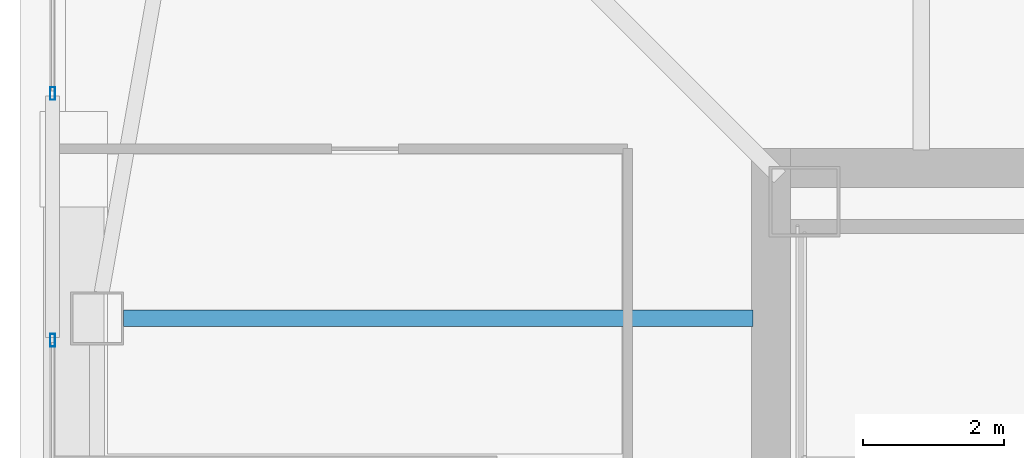
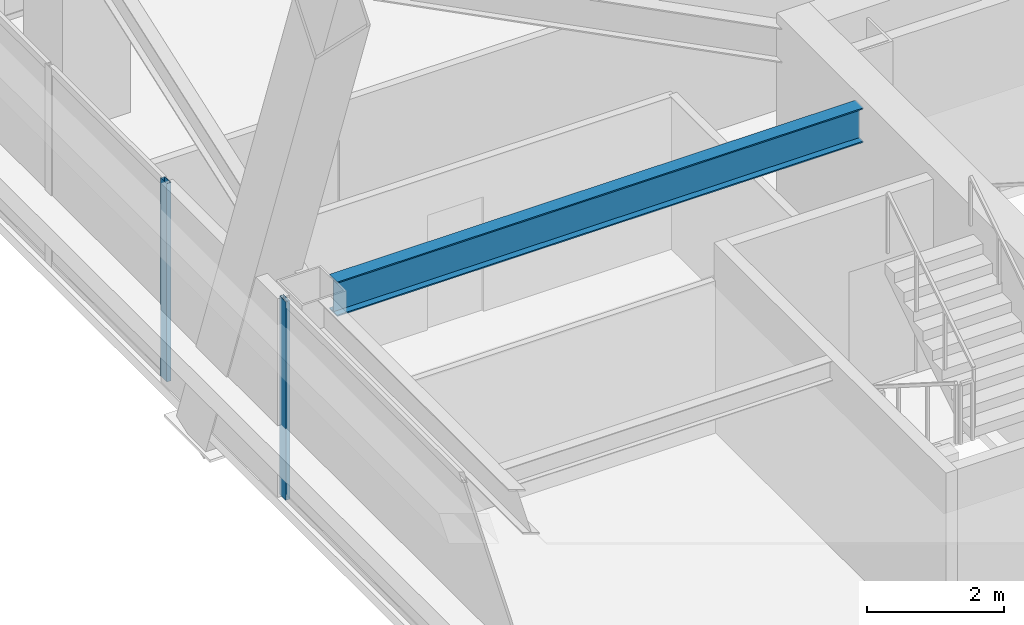
# One storey, part 11 of 55: 2 members, 1 beam, 2 elements without a shape of their own.
"""IFC4 building model written with IfcOpenShell, lengths in metres."""

from ifc_helpers import new_model, si_unit, direction, frame, origin, origin_2d, place, context, subcontext, project, spatial, hollow_rectangle, i_section, extrude, material, material_profile, profile_set, type_object, element, aggregate, save


model = new_model("IFC4")

# Units and contexts
model_context = context("Model", 3, precision=1e-05, world=origin(), true_north=direction((0.0, 1.0)))
body_context = subcontext(model_context, "Body", "Model", "MODEL_VIEW")
ifc_project = project(units=[si_unit("LENGTHUNIT", "METRE"), si_unit("AREAUNIT", "SQUARE_METRE"), si_unit("VOLUMEUNIT", "CUBIC_METRE"), si_unit("PLANEANGLEUNIT", "RADIAN"), si_unit("MASSUNIT", "GRAM", prefix="KILO")], contexts=[model_context])

# Site, building, storey
site_placement = place(None, origin())
site = spatial("IfcSite", under=ifc_project, at=site_placement, CompositionType="ELEMENT")
building_placement = place(site_placement, origin())
building = spatial("IfcBuilding", under=site, at=building_placement, Name="Tashvorn Skyway Center", CompositionType="ELEMENT")
storey_placement = place(building_placement, frame((0.0, 0.0, 178.300048828125)))
storey = spatial("IfcBuildingStorey", under=building, at=storey_placement, Name="L48", CompositionType="ELEMENT", Elevation=178.300048828125)

# Beam
ifc_material_1 = material(Name="Steel ASTM A992 Grade 50", Category="steel")
ifc_material_profile_1 = material_profile(ifc_material_1, i_section(OverallWidth=0.22998046875, OverallDepth=0.616943359375, WebThickness=0.01318359375, FlangeThickness=0.022216796875, at=origin_2d()), Name="W24X94")
ifc_profile_set_1 = profile_set([ifc_material_profile_1], Name="Steel ASTM A992 Grade 50")
beam_type = type_object("IfcBeamType", Name="BM-BEAM-W24X94", PredefinedType="BEAM", material=ifc_profile_set_1)
beam_placement = place(storey_placement, frame((25.320068359375, 37.39990234375, 3.0615234375), z_axis=(1.0, 0.0, 0.0), x_axis=(0.0, 1.0, 0.0)))
element("IfcBeam", 1, at=beam_placement, inside=storey, type_object=beam_type, Name="Tower 1 L48 Primary Floor Girder FC-W1", PredefinedType="BEAM", context=body_context, shape_type="SweptSolid", body=[
    extrude(i_section(OverallWidth=0.22998046875, OverallDepth=0.616943359375, WebThickness=0.01318359375, FlangeThickness=0.022216796875, at=origin_2d()), origin(), (0.0, 0.0, 1.0), 8.89990234375),
])

# Curtain wall, member
ifc_material_2 = material(Name="Thermally broken bronze-anodized aluminium 6063-T6", Category="aluminium")
curtain_wall_type = type_object("IfcCurtainWallType", Name="CW-CW-Z4", PredefinedType="NOTDEFINED", material=ifc_material_2)
curtain_wall_1_placement = place(storey_placement, origin())
curtain_wall_1 = element("IfcCurtainWall", 2, at=curtain_wall_1_placement, inside=storey, type_object=curtain_wall_type, Name="Tower 1 L48 West Unitised Curtain Wall Glazing Group 2", PredefinedType="NOTDEFINED")
ifc_material_profile_2 = material_profile(ifc_material_2, hollow_rectangle(XDim=0.070068359375, YDim=0.179931640625, WallThickness=0.00390625, at=origin_2d()), Name="ALU-MULL-70x180")
ifc_profile_set_2 = profile_set([ifc_material_profile_2], Name="Thermally broken bronze-anodized aluminium 6063-T6")
member_type = type_object("IfcMemberType", Name="CWM-CW-Z4", PredefinedType="MULLION", material=ifc_profile_set_2)
member_1_placement = place(storey_placement, frame((24.320068359375, 37.091796875, 0.0), z_axis=(0.0, 0.0, 1.0), x_axis=(-1.0, 0.0, 0.0)))
member_1 = element("IfcMember", 3, at=member_1_placement, type_object=member_type, Name="CW-Z4 mullion 2", PredefinedType="MULLION", context=body_context, shape_type="SweptSolid", body=[
    extrude(hollow_rectangle(XDim=0.070068359375, YDim=0.179931640625, WallThickness=0.00390625, at=origin_2d()), origin(), (0.0, 0.0, 1.0), 3.550048828125),
])
aggregate(curtain_wall_1, [member_1])

curtain_wall_2_placement = place(storey_placement, origin())
curtain_wall_2 = element("IfcCurtainWall", 4, at=curtain_wall_2_placement, inside=storey, type_object=curtain_wall_type, Name="Tower 1 L48 West Unitised Curtain Wall Glazing Group 3", PredefinedType="NOTDEFINED")
member_2_placement = place(storey_placement, frame((24.320068359375, 40.579345703125, 0.0), z_axis=(0.0, 0.0, 1.0), x_axis=(-1.0, 0.0, 0.0)))
member_2 = element("IfcMember", 5, at=member_2_placement, type_object=member_type, Name="CW-Z4 mullion 1", PredefinedType="MULLION", context=body_context, shape_type="SweptSolid", body=[
    extrude(hollow_rectangle(XDim=0.070068359375, YDim=0.179931640625, WallThickness=0.00390625, at=origin_2d()), origin(), (0.0, 0.0, 1.0), 3.550048828125),
])
aggregate(curtain_wall_2, [member_2])

save(model, "model.ifc")
